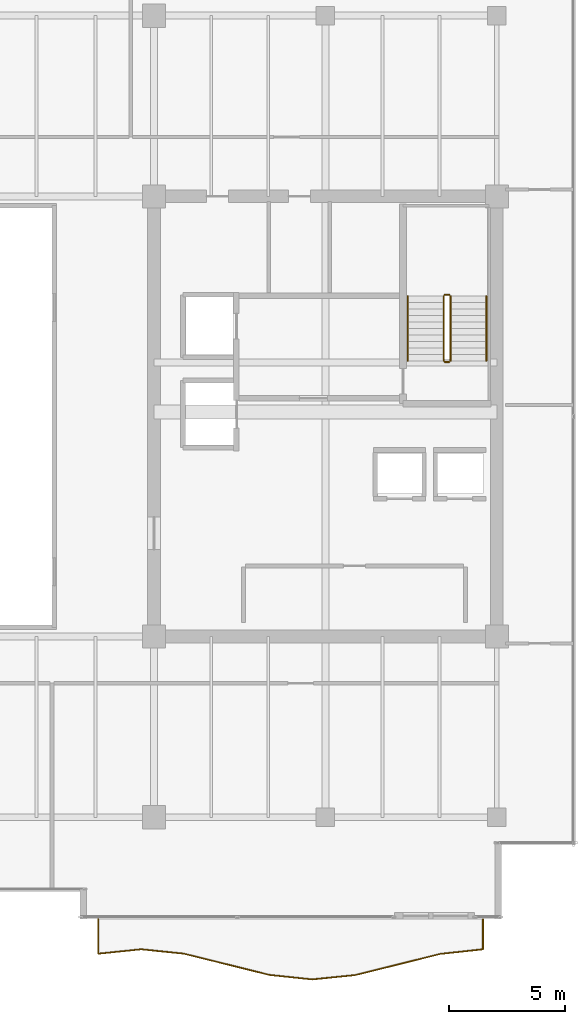
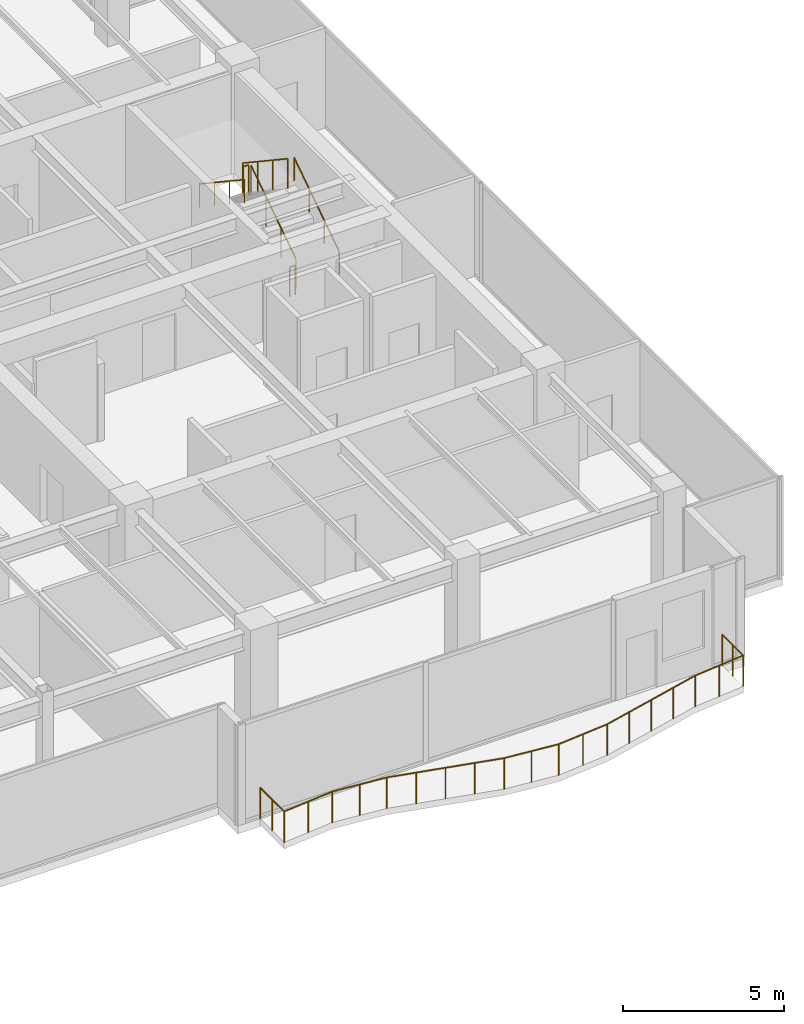
# One storey, part 33 of 34: 7 railings.
"""IFC4 building model written with IfcOpenShell, lengths in metres."""

from ifc_helpers import new_model, si_unit, direction, frame, origin, origin_2d, place, context, subcontext, project, spatial, circle, extrude, source, transform, mapped, material, type_object, type_shapes, element, save


model = new_model("IFC4")

# Units and contexts
model_context = context("Model", 3, precision=1e-05, world=origin(), true_north=direction((0.0, 1.0)))
body_context = subcontext(model_context, "Body", "Model", "MODEL_VIEW")
ifc_project = project(units=[si_unit("LENGTHUNIT", "METRE"), si_unit("AREAUNIT", "SQUARE_METRE"), si_unit("VOLUMEUNIT", "CUBIC_METRE"), si_unit("PLANEANGLEUNIT", "RADIAN"), si_unit("MASSUNIT", "GRAM", prefix="KILO")], contexts=[model_context])

# Site, building, storey
site_placement = place(None, origin())
site = spatial("IfcSite", under=ifc_project, at=site_placement, CompositionType="ELEMENT")
building_placement = place(site_placement, origin())
building = spatial("IfcBuilding", under=site, at=building_placement, Name="Haelvirn Gate Laboratories", CompositionType="ELEMENT")
storey_placement = place(building_placement, frame((0.0, 0.0, 246.5)))
storey = spatial("IfcBuildingStorey", under=building, at=storey_placement, Name="L59", CompositionType="ELEMENT", Elevation=246.5)

# Railings
ifc_material_1 = material(Name="Laminated safety glass & bronze stainless steel 316L", Category="steel")
railing_type_1 = type_object("IfcRailingType", Name="RLG-BAL-1200", PredefinedType="BALUSTRADE", material=ifc_material_1)
shared_shape_1 = source(origin(), body_context, "Body", "SweptSolid", [
    extrude(circle(Radius=0.02392578125, at=origin_2d()), frame((0.0, 0.0, 1.17578125), z_axis=(0.0, -1.0, 0.0), x_axis=(1.0, 0.0, 0.0)), (0.0, 0.0, 1.0), 1.490478515625),
    extrude(circle(Radius=0.02392578125, at=origin_2d()), frame((0.0, -1.490478515625, 1.17578125), z_axis=(0.994712684442, 0.102697007792, 0.0), x_axis=(-0.102697007792, 0.994712684442, 0.0)), (0.0, 0.0, 1.0), 1.854248046875),
    extrude(circle(Radius=0.02392578125, at=origin_2d()), frame((1.844482421875, -1.300048828125, 1.17578125), z_axis=(0.994833056912, -0.101524326523, 0.0), x_axis=(0.101524326523, 0.994833056912, 0.0)), (0.0, 0.0, 1.0), 1.85400390625),
    extrude(circle(Radius=0.02392578125, at=origin_2d()), frame((3.68896484375, -1.48828125, 1.17578125), z_axis=(0.970616738311, -0.240630728108, 0.0), x_axis=(0.240630728108, 0.970616738311, 0.0)), (0.0, 0.0, 1.0), 1.900390625),
    extrude(circle(Radius=0.02392578125, at=origin_2d()), frame((5.533447265625, -1.945556640625, 1.17578125), z_axis=(0.970285869245, -0.24196142656, 0.0), x_axis=(0.24196142656, 0.970285869245, 0.0)), (0.0, 0.0, 1.0), 1.90087890625),
    extrude(circle(Radius=0.02392578125, at=origin_2d()), frame((7.3779296875, -2.405517578125, 1.17578125), z_axis=(0.994480176152, -0.104924636006, 0.0), x_axis=(0.104924636006, 0.994480176152, 0.0)), (0.0, 0.0, 1.0), 1.8544921875),
    extrude(circle(Radius=0.02392578125, at=origin_2d()), frame((9.22216796875, -2.60009765625, 1.17578125), z_axis=(0.99506973831, 0.099177698603, 0.0), x_axis=(-0.099177698603, 0.99506973831, 0.0)), (0.0, 0.0, 1.0), 1.853515625),
    extrude(circle(Radius=0.02392578125, at=origin_2d()), frame((11.066650390625, -2.416259765625, 1.17578125), z_axis=(0.970826457727, 0.239783212458, 0.0), x_axis=(-0.239783212458, 0.970826457727, 0.0)), (0.0, 0.0, 1.0), 1.89990234375),
    extrude(circle(Radius=0.02392578125, at=origin_2d()), frame((12.9111328125, -1.960693359375, 1.17578125), z_axis=(0.970104722015, 0.242686687572, 0.0), x_axis=(-0.242686687572, 0.970104722015, 0.0)), (0.0, 0.0, 1.0), 1.9013671875),
    extrude(circle(Radius=0.02392578125, at=origin_2d()), frame((14.755615234375, -1.499267578125, 1.17578125), z_axis=(0.994231725841, 0.107253323171, 0.0), x_axis=(-0.107253323171, 0.994231725841, 0.0)), (0.0, 0.0, 1.0), 1.855224609375),
    extrude(circle(Radius=0.02392578125, at=origin_2d()), frame((16.60009765625, -1.30029296875, 1.17578125), z_axis=(0.0, 1.0, 0.0), x_axis=(-1.0, 0.0, 0.0)), (0.0, 0.0, 1.0), 1.30029296875),
    extrude(circle(Radius=0.02099609375, at=origin_2d()), origin(), (0.0, 0.0, 1.0), 1.15185546875),
    extrude(circle(Radius=0.02099609375, at=origin_2d()), frame((0.0, -0.7451171875, 0.0)), (0.0, 0.0, 1.0), 1.15185546875),
    extrude(circle(Radius=0.02099609375, at=origin_2d()), frame((0.0, -1.490478515625, 0.0)), (0.0, 0.0, 1.0), 1.15185546875),
    extrude(circle(Radius=0.02099609375, at=origin_2d()), frame((0.92236328125, -1.395263671875, 0.0)), (0.0, 0.0, 1.0), 1.15185546875),
    extrude(circle(Radius=0.02099609375, at=origin_2d()), frame((1.844482421875, -1.300048828125, 0.0)), (0.0, 0.0, 1.0), 1.15185546875),
    extrude(circle(Radius=0.02099609375, at=origin_2d()), frame((2.7666015625, -1.39404296875, 0.0)), (0.0, 0.0, 1.0), 1.15185546875),
    extrude(circle(Radius=0.02099609375, at=origin_2d()), frame((3.68896484375, -1.48828125, 0.0)), (0.0, 0.0, 1.0), 1.15185546875),
    extrude(circle(Radius=0.02099609375, at=origin_2d()), frame((4.611328125, -1.716796875, 0.0)), (0.0, 0.0, 1.0), 1.15185546875),
    extrude(circle(Radius=0.02099609375, at=origin_2d()), frame((5.533447265625, -1.945556640625, 0.0)), (0.0, 0.0, 1.0), 1.15185546875),
    extrude(circle(Radius=0.02099609375, at=origin_2d()), frame((6.45556640625, -2.175537109375, 0.0)), (0.0, 0.0, 1.0), 1.15185546875),
    extrude(circle(Radius=0.02099609375, at=origin_2d()), frame((7.3779296875, -2.405517578125, 0.0)), (0.0, 0.0, 1.0), 1.15185546875),
    extrude(circle(Radius=0.02099609375, at=origin_2d()), frame((8.300048828125, -2.5029296875, 0.0)), (0.0, 0.0, 1.0), 1.15185546875),
    extrude(circle(Radius=0.02099609375, at=origin_2d()), frame((9.22216796875, -2.60009765625, 0.0)), (0.0, 0.0, 1.0), 1.15185546875),
    extrude(circle(Radius=0.02099609375, at=origin_2d()), frame((10.14453125, -2.50830078125, 0.0)), (0.0, 0.0, 1.0), 1.15185546875),
    extrude(circle(Radius=0.02099609375, at=origin_2d()), frame((11.066650390625, -2.416259765625, 0.0)), (0.0, 0.0, 1.0), 1.15185546875),
    extrude(circle(Radius=0.02099609375, at=origin_2d()), frame((11.98876953125, -2.1884765625, 0.0)), (0.0, 0.0, 1.0), 1.15185546875),
    extrude(circle(Radius=0.02099609375, at=origin_2d()), frame((12.9111328125, -1.960693359375, 0.0)), (0.0, 0.0, 1.0), 1.15185546875),
    extrude(circle(Radius=0.02099609375, at=origin_2d()), frame((13.83349609375, -1.72998046875, 0.0)), (0.0, 0.0, 1.0), 1.15185546875),
    extrude(circle(Radius=0.02099609375, at=origin_2d()), frame((14.755615234375, -1.499267578125, 0.0)), (0.0, 0.0, 1.0), 1.15185546875),
    extrude(circle(Radius=0.02099609375, at=origin_2d()), frame((15.677734375, -1.39990234375, 0.0)), (0.0, 0.0, 1.0), 1.15185546875),
    extrude(circle(Radius=0.02099609375, at=origin_2d()), frame((16.60009765625, -1.30029296875, 0.0)), (0.0, 0.0, 1.0), 1.15185546875),
    extrude(circle(Radius=0.02099609375, at=origin_2d()), frame((16.60009765625, -0.650146484375, 0.0)), (0.0, 0.0, 1.0), 1.15185546875),
    extrude(circle(Radius=0.02099609375, at=origin_2d()), frame((16.60009765625, 0.0, 0.0)), (0.0, 0.0, 1.0), 1.15185546875),
])
type_shapes(railing_type_1, [shared_shape_1])
railing_1_placement = place(storey_placement, frame((50.199951171875, 2.60009765625, 0.0)))
element("IfcRailing", 1, at=railing_1_placement, inside=storey, type_object=railing_type_1, Name="L59 Wave Balcony Balustrade EL-S", PredefinedType="BALUSTRADE", context=body_context, shape_type="MappedRepresentation", body=[
    mapped(shared_shape_1, transform((0.0, 0.0, 0.0), scale=1.0)),
])
ifc_material_2 = material(Name="Galvanised steel SM355 & stainless top rail", Category="steel")
railing_type_2 = type_object("IfcRailingType", Name="RL-GUARD-1150", PredefinedType="GUARDRAIL", material=ifc_material_2)
shared_shape_2 = source(origin(), body_context, "Body", "SweptSolid", [
    extrude(circle(Radius=0.02392578125, at=origin_2d()), frame((0.0, 0.0, 1.1259765625), z_axis=(0.0, -0.832452072856, 0.554097055034), x_axis=(1.0, 0.0, 0.0)), (0.0, 0.0, 1.0), 3.363525390625),
    extrude(circle(Radius=0.02099609375, at=origin_2d()), origin(), (0.0, 0.0, 1.0), 1.101806640625),
    extrude(circle(Radius=0.02099609375, at=origin_2d()), frame((0.0, -0.933349609375, 0.621337890625)), (0.0, 0.0, 1.0), 1.101806640625),
    extrude(circle(Radius=0.02099609375, at=origin_2d()), frame((0.0, -1.86669921875, 1.242431640625)), (0.0, 0.0, 1.0), 1.101806640625),
    extrude(circle(Radius=0.02099609375, at=origin_2d()), frame((0.0, -2.800048828125, 1.86376953125)), (0.0, 0.0, 1.0), 1.101806640625),
])
railing_2_placement = place(storey_placement, frame((65.10009765625, 29.5, 2.236328125)))
element("IfcRailing", 2, at=railing_2_placement, inside=storey, type_object=railing_type_2, Name="L59 ST2 stair guard 3", PredefinedType="GUARDRAIL", context=body_context, shape_type="MappedRepresentation", body=[
    mapped(shared_shape_2, transform((0.0, 0.0, 0.0), scale=1.0)),
])
ifc_material_3 = material(Name="Brushed stainless steel 316L", Category="steel")
railing_type_3 = type_object("IfcRailingType", Name="RL-HAND-920", PredefinedType="HANDRAIL", material=ifc_material_3)
shared_shape_3 = source(origin(), body_context, "Body", "SweptSolid", [
    extrude(circle(Radius=0.02392578125, at=origin_2d()), frame((0.0, 0.0, 0.8759765625), z_axis=(0.0, -0.832452072856, 0.554097055034), x_axis=(1.0, 0.0, 0.0)), (0.0, 0.0, 1.0), 3.363525390625),
    extrude(circle(Radius=0.02099609375, at=origin_2d()), origin(), (0.0, 0.0, 1.0), 0.851806640625),
    extrude(circle(Radius=0.02099609375, at=origin_2d()), frame((0.0, -0.933349609375, 0.621337890625)), (0.0, 0.0, 1.0), 0.851806640625),
    extrude(circle(Radius=0.02099609375, at=origin_2d()), frame((0.0, -1.86669921875, 1.242431640625)), (0.0, 0.0, 1.0), 0.851806640625),
    extrude(circle(Radius=0.02099609375, at=origin_2d()), frame((0.0, -2.800048828125, 1.86376953125)), (0.0, 0.0, 1.0), 0.851806640625),
])
railing_3_placement = place(storey_placement, frame((63.550048828125, 29.5, 2.236328125)))
element("IfcRailing", 3, at=railing_3_placement, inside=storey, type_object=railing_type_3, Name="L59 ST2 stair handrail 2", PredefinedType="HANDRAIL", context=body_context, shape_type="MappedRepresentation", body=[
    mapped(shared_shape_3, transform((0.0, 0.0, 0.0), scale=1.0)),
])
shared_shape_4 = source(origin(), body_context, "Body", "SweptSolid", [
    extrude(circle(Radius=0.02392578125, at=origin_2d()), frame((0.0, 0.0, 1.1259765625), z_axis=(0.0, 0.832452072856, 0.554097055034), x_axis=(-1.0, 0.0, 0.0)), (0.0, 0.0, 1.0), 3.363525390625),
    extrude(circle(Radius=0.02099609375, at=origin_2d()), origin(), (0.0, 0.0, 1.0), 1.101806640625),
    extrude(circle(Radius=0.02099609375, at=origin_2d()), frame((0.0, 0.933349609375, 0.621337890625)), (0.0, 0.0, 1.0), 1.101806640625),
    extrude(circle(Radius=0.02099609375, at=origin_2d()), frame((0.0, 1.86669921875, 1.242431640625)), (0.0, 0.0, 1.0), 1.101806640625),
    extrude(circle(Radius=0.02099609375, at=origin_2d()), frame((0.0, 2.800048828125, 1.86376953125)), (0.0, 0.0, 1.0), 1.101806640625),
])
railing_4_placement = place(storey_placement, frame((65.39990234375, 26.699951171875, 0.186279296875)))
element("IfcRailing", 4, at=railing_4_placement, inside=storey, type_object=railing_type_2, Name="L59 ST2 stair guard 1", PredefinedType="GUARDRAIL", context=body_context, shape_type="MappedRepresentation", body=[
    mapped(shared_shape_4, transform((0.0, 0.0, 0.0), scale=1.0)),
])
shared_shape_5 = source(origin(), body_context, "Body", "SweptSolid", [
    extrude(circle(Radius=0.02392578125, at=origin_2d()), frame((0.0, 0.0, 0.8759765625), z_axis=(0.0, 0.832452072856, 0.554097055034), x_axis=(-1.0, 0.0, 0.0)), (0.0, 0.0, 1.0), 3.363525390625),
    extrude(circle(Radius=0.02099609375, at=origin_2d()), origin(), (0.0, 0.0, 1.0), 0.851806640625),
    extrude(circle(Radius=0.02099609375, at=origin_2d()), frame((0.0, 0.933349609375, 0.621337890625)), (0.0, 0.0, 1.0), 0.851806640625),
    extrude(circle(Radius=0.02099609375, at=origin_2d()), frame((0.0, 1.86669921875, 1.242431640625)), (0.0, 0.0, 1.0), 0.851806640625),
    extrude(circle(Radius=0.02099609375, at=origin_2d()), frame((0.0, 2.800048828125, 1.86376953125)), (0.0, 0.0, 1.0), 0.851806640625),
])
type_shapes(railing_type_3, [shared_shape_3, shared_shape_5])
railing_5_placement = place(storey_placement, frame((66.949951171875, 26.699951171875, 0.186279296875)))
element("IfcRailing", 5, at=railing_5_placement, inside=storey, type_object=railing_type_3, Name="L59 ST2 stair handrail 1", PredefinedType="HANDRAIL", context=body_context, shape_type="MappedRepresentation", body=[
    mapped(shared_shape_5, transform((0.0, 0.0, 0.0), scale=1.0)),
])
shared_shape_6 = source(origin(), body_context, "Body", "SweptSolid", [
    extrude(circle(Radius=0.02392578125, at=origin_2d()), frame((0.0, 0.0, 1.1259765625), z_axis=(-1.0, 0.0, 0.0), x_axis=(0.0, -1.0, 0.0)), (0.0, 0.0, 1.0), 0.2001953125),
    extrude(circle(Radius=0.02099609375, at=origin_2d()), origin(), (0.0, 0.0, 1.0), 1.101806640625),
    extrude(circle(Radius=0.02099609375, at=origin_2d()), frame((-0.2001953125, 0.0, 0.0)), (0.0, 0.0, 1.0), 1.101806640625),
])
type_shapes(railing_type_2, [shared_shape_2, shared_shape_4, shared_shape_6])
for number, where, name in (
    (6, (65.35009765625, 29.550048828125, 2.050048828125), "L59 ST2 stair guard 2"),
    (7, (65.35009765625, 26.64990234375, 0.0), "L59 ST2 stair guard 4"),
):
    element("IfcRailing", number, at=place(storey_placement, frame(where)), inside=storey, type_object=railing_type_2, Name=name, PredefinedType="GUARDRAIL", context=body_context, shape_type="MappedRepresentation", body=[
        mapped(shared_shape_6, transform((0.0, 0.0, 0.0), scale=1.0)),
    ])

save(model, "model.ifc")
